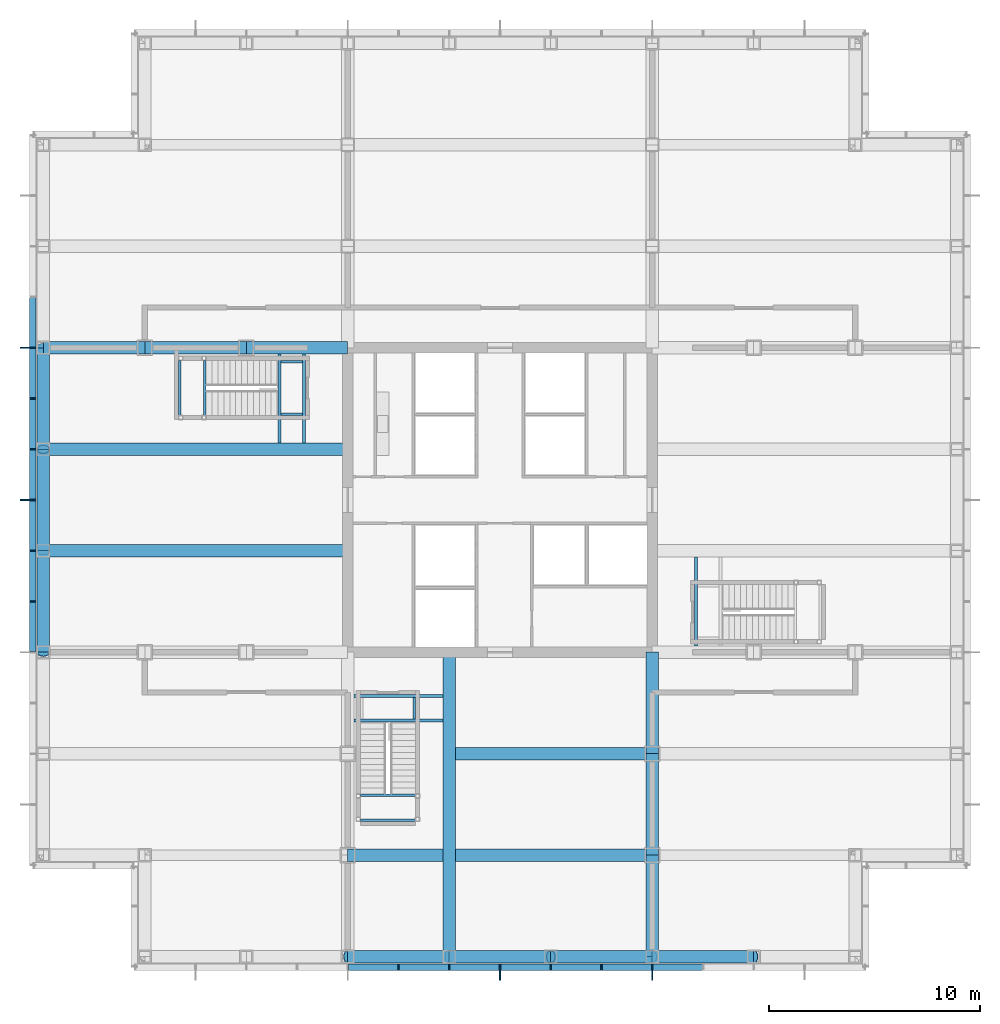
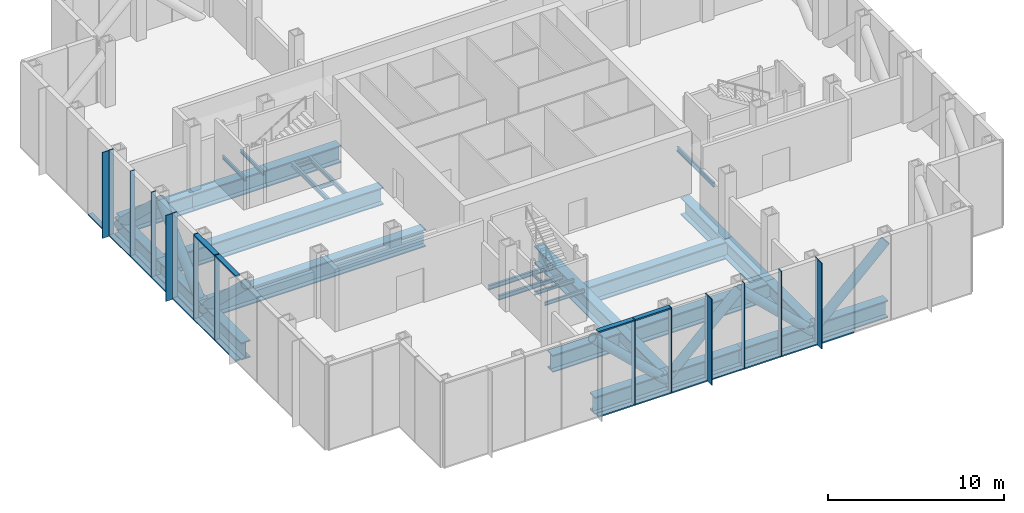
# One storey, part 7 of 18: 41 members, 31 beams, 2 elements without a shape of their own.
"""IFC4 building model written with IfcOpenShell, lengths in metres."""

from ifc_helpers import new_model, si_unit, direction, frame, origin, origin_2d, place, context, subcontext, project, spatial, rectangle, hollow_circle, i_section, extrude, material, material_profile, profile_set, type_object, element, aggregate, save


model = new_model("IFC4")

# Units and contexts
model_context = context("Model", 3, precision=1e-05, world=origin(), true_north=direction((0.0, 1.0)))
body_context = subcontext(model_context, "Body", "Model", "MODEL_VIEW")
ifc_project = project(units=[si_unit("LENGTHUNIT", "METRE"), si_unit("AREAUNIT", "SQUARE_METRE"), si_unit("VOLUMEUNIT", "CUBIC_METRE"), si_unit("PLANEANGLEUNIT", "RADIAN"), si_unit("MASSUNIT", "GRAM", prefix="KILO")], contexts=[model_context])

# Site, building, storey
site_placement = place(None, origin())
site = spatial("IfcSite", under=ifc_project, at=site_placement, CompositionType="ELEMENT")
building_placement = place(site_placement, origin())
building = spatial("IfcBuilding", under=site, at=building_placement, Name="Kvirike Care Tower", CompositionType="ELEMENT")
storey_placement = place(building_placement, frame((0.0, 0.0, 79.5)))
storey = spatial("IfcBuildingStorey", under=building, at=storey_placement, Name="L21", CompositionType="ELEMENT", Elevation=79.5)

# Members
ifc_material_1 = material(Name="Steel S355", Category="steel")
ifc_material_profile_1 = material_profile(ifc_material_1, hollow_circle(Radius=0.304931640625, WallThickness=0.030029296875, at=origin_2d()), Name="CHS 610x30")
ifc_profile_set_1 = profile_set([ifc_material_profile_1], Name="Steel S355")
member_type_1 = type_object("IfcMemberType", Name="BELT TRUSS DIAGONAL CHS 610x30", PredefinedType="BRACE", material=ifc_profile_set_1)
member_1_placement = place(storey_placement, frame((0.0, 43.199951171875, -0.85009765625), z_axis=(0.0, -0.723490032929, 0.690334826191), x_axis=(1.0, 0.0, 0.0)))
element("IfcMember", 1, at=member_1_placement, inside=storey, type_object=member_type_1, Name="Belt truss diagonal K3-J3 L21", PredefinedType="BRACE", context=body_context, shape_type="SweptSolid", body=[
    extrude(hollow_circle(Radius=0.304931640625, WallThickness=0.030029296875, at=origin_2d()), origin(), (0.0, 0.0, 1.0), 6.634521484375),
])
member_2_placement = place(storey_placement, frame((0.0, 33.60009765625, -0.85009765625), z_axis=(0.0, 0.723472495583, 0.690353205348), x_axis=(-1.0, 0.0, 0.0)))
element("IfcMember", 2, at=member_2_placement, inside=storey, type_object=member_type_1, Name="Belt truss diagonal J3-H3 L21", PredefinedType="BRACE", context=body_context, shape_type="SweptSolid", body=[
    extrude(hollow_circle(Radius=0.304931640625, WallThickness=0.030029296875, at=origin_2d()), origin(), (0.0, 0.0, 1.0), 6.63427734375),
])
for number, where, z_axis, x_axis, name in (
    (3, (0.0, 33.60009765625, -0.85009765625), (0.0, -0.723490032929, 0.690334826191), (1.0, 0.0, 0.0), "Belt truss diagonal H3-G3 L21"),
    (4, (19.199951171875, 14.39990234375, -0.85009765625), (-0.723490032929, 0.0, 0.690334826191), (0.0, -1.0, 0.0), "Belt truss diagonal D6-D7 L21"),
    (5, (19.199951171875, 14.39990234375, -0.85009765625), (0.723490032929, 0.0, 0.690334826191), (0.0, 1.0, 0.0), "Belt truss diagonal D7-D8 L21"),
    (6, (28.800048828125, 14.39990234375, -0.85009765625), (-0.723490032929, 0.0, 0.690334826191), (0.0, -1.0, 0.0), "Belt truss diagonal D8-D9 L21"),
    (7, (28.800048828125, 14.39990234375, -0.85009765625), (0.723490032929, 0.0, 0.690334826191), (0.0, 1.0, 0.0), "Belt truss diagonal D9-D10 L21"),
):
    element("IfcMember", number, at=place(storey_placement, frame(where, z_axis=z_axis, x_axis=x_axis)), inside=storey, type_object=member_type_1, Name=name, PredefinedType="BRACE", context=body_context, shape_type="SweptSolid", body=[
        extrude(hollow_circle(Radius=0.304931640625, WallThickness=0.030029296875, at=origin_2d()), origin(), (0.0, 0.0, 1.0), 6.634521484375),
    ])

# Curtain wall, members
ifc_material_2 = material(Name="Anodised aluminium stick system", Category="aluminium")
curtain_wall_type = type_object("IfcCurtainWallType", Name="CW-L LOUVRED PLANT SCREEN", PredefinedType="NOTDEFINED", material=ifc_material_2)
curtain_wall_1_placement = place(storey_placement, origin())
curtain_wall_1 = element("IfcCurtainWall", 8, at=curtain_wall_1_placement, inside=storey, type_object=curtain_wall_type, Name="Curtain wall L21 face 1", PredefinedType="NOTDEFINED")
ifc_material_3 = material(Name="Bronze anodised aluminium fin", Category="aluminium")
ifc_material_profile_2 = material_profile(ifc_material_3, rectangle(XDim=0.050048828125, YDim=0.449951171875, at=origin_2d()), Name="BRONZE FIN 450")
ifc_profile_set_2 = profile_set([ifc_material_profile_2], Name="Bronze anodised aluminium fin")
member_type_2 = type_object("IfcMemberType", Name="BRONZE FIN 450", PredefinedType="USERDEFINED", material=ifc_profile_set_2)
member_3_placement = place(storey_placement, frame((-0.875, 43.199951171875, -1.449951171875), z_axis=(0.0, 0.0, 1.0), x_axis=(0.0, -1.0, 0.0)))
member_3 = element("IfcMember", 9, at=member_3_placement, type_object=member_type_2, Name="Bronze fin L21 face 1.5", ObjectType="FIN", PredefinedType="USERDEFINED", context=body_context, shape_type="SweptSolid", body=[
    extrude(rectangle(XDim=0.050048828125, YDim=0.449951171875, at=origin_2d()), origin(), (0.0, 0.0, 1.0), 5.949951171875),
])
member_4_placement = place(storey_placement, frame((-0.875, 36.0, -1.449951171875), z_axis=(0.0, 0.0, 1.0), x_axis=(0.0, -1.0, 0.0)))
member_4 = element("IfcMember", 10, at=member_4_placement, type_object=member_type_2, Name="Bronze fin L21 face 1.8", ObjectType="FIN", PredefinedType="USERDEFINED", context=body_context, shape_type="SweptSolid", body=[
    extrude(rectangle(XDim=0.050048828125, YDim=0.449951171875, at=origin_2d()), origin(), (0.0, 0.0, 1.0), 5.949951171875),
])

curtain_wall_2_placement = place(storey_placement, origin())
curtain_wall_2 = element("IfcCurtainWall", 11, at=curtain_wall_2_placement, inside=storey, type_object=curtain_wall_type, Name="Curtain wall L21 face 4", PredefinedType="NOTDEFINED")
member_5_placement = place(storey_placement, frame((21.60009765625, 13.52490234375, -1.449951171875), z_axis=(0.0, 0.0, 1.0), x_axis=(1.0, 0.0, 0.0)))
member_5 = element("IfcMember", 12, at=member_5_placement, type_object=member_type_2, Name="Bronze fin L21 face 4.8", ObjectType="FIN", PredefinedType="USERDEFINED", context=body_context, shape_type="SweptSolid", body=[
    extrude(rectangle(XDim=0.050048828125, YDim=0.449951171875, at=origin_2d()), origin(), (0.0, 0.0, 1.0), 5.949951171875),
])
member_6_placement = place(storey_placement, frame((28.800048828125, 13.52490234375, -1.449951171875), z_axis=(0.0, 0.0, 1.0), x_axis=(1.0, 0.0, 0.0)))
member_6 = element("IfcMember", 13, at=member_6_placement, type_object=member_type_2, Name="Bronze fin L21 face 4.11", ObjectType="FIN", PredefinedType="USERDEFINED", context=body_context, shape_type="SweptSolid", body=[
    extrude(rectangle(XDim=0.050048828125, YDim=0.449951171875, at=origin_2d()), origin(), (0.0, 0.0, 1.0), 5.949951171875),
])

# Member
ifc_material_4 = material(Name="Bronze anodised aluminium mullion", Category="aluminium")
ifc_material_profile_3 = material_profile(ifc_material_4, rectangle(XDim=0.06494140625, YDim=0.300048828125, at=origin_2d()), Name="CW-L MULLION 65x300")
ifc_profile_set_3 = profile_set([ifc_material_profile_3], Name="Bronze anodised aluminium mullion")
member_type_3 = type_object("IfcMemberType", Name="CW-L MULLION 65x300", PredefinedType="MULLION", material=ifc_profile_set_3)
member_7_placement = place(storey_placement, frame((-0.5, 43.199951171875, -1.449951171875), z_axis=(0.0, 0.0, 1.0), x_axis=(0.0, -1.0, 0.0)))
member_7 = element("IfcMember", 14, at=member_7_placement, type_object=member_type_3, Name="CW-L mullion L21 face 1.5", PredefinedType="MULLION", context=body_context, shape_type="SweptSolid", body=[
    extrude(rectangle(XDim=0.06494140625, YDim=0.300048828125, at=origin_2d()), origin(), (0.0, 0.0, 1.0), 5.949951171875),
])

member_8_placement = place(storey_placement, frame((-0.5, 40.800048828125, -1.449951171875), z_axis=(0.0, 0.0, 1.0), x_axis=(0.0, -1.0, 0.0)))
member_8 = element("IfcMember", 15, at=member_8_placement, type_object=member_type_3, Name="CW-L mullion L21 face 1.6", PredefinedType="MULLION", context=body_context, shape_type="SweptSolid", body=[
    extrude(rectangle(XDim=0.06494140625, YDim=0.300048828125, at=origin_2d()), origin(), (0.0, 0.0, 1.0), 5.949951171875),
])

member_9_placement = place(storey_placement, frame((-0.5, 38.39990234375, -1.449951171875), z_axis=(0.0, 0.0, 1.0), x_axis=(0.0, -1.0, 0.0)))
member_9 = element("IfcMember", 16, at=member_9_placement, type_object=member_type_3, Name="CW-L mullion L21 face 1.7", PredefinedType="MULLION", context=body_context, shape_type="SweptSolid", body=[
    extrude(rectangle(XDim=0.06494140625, YDim=0.300048828125, at=origin_2d()), origin(), (0.0, 0.0, 1.0), 5.949951171875),
])

member_10_placement = place(storey_placement, frame((-0.5, 36.0, -1.449951171875), z_axis=(0.0, 0.0, 1.0), x_axis=(0.0, -1.0, 0.0)))
member_10 = element("IfcMember", 17, at=member_10_placement, type_object=member_type_3, Name="CW-L mullion L21 face 1.8", PredefinedType="MULLION", context=body_context, shape_type="SweptSolid", body=[
    extrude(rectangle(XDim=0.06494140625, YDim=0.300048828125, at=origin_2d()), origin(), (0.0, 0.0, 1.0), 5.949951171875),
])

member_11_placement = place(storey_placement, frame((-0.5, 33.60009765625, -1.449951171875), z_axis=(0.0, 0.0, 1.0), x_axis=(0.0, -1.0, 0.0)))
member_11 = element("IfcMember", 18, at=member_11_placement, type_object=member_type_3, Name="CW-L mullion L21 face 1.9", PredefinedType="MULLION", context=body_context, shape_type="SweptSolid", body=[
    extrude(rectangle(XDim=0.06494140625, YDim=0.300048828125, at=origin_2d()), origin(), (0.0, 0.0, 1.0), 5.949951171875),
])

member_12_placement = place(storey_placement, frame((-0.5, 31.199951171875, -1.449951171875), z_axis=(0.0, 0.0, 1.0), x_axis=(0.0, -1.0, 0.0)))
member_12 = element("IfcMember", 19, at=member_12_placement, type_object=member_type_3, Name="CW-L mullion L21 face 1.10", PredefinedType="MULLION", context=body_context, shape_type="SweptSolid", body=[
    extrude(rectangle(XDim=0.06494140625, YDim=0.300048828125, at=origin_2d()), origin(), (0.0, 0.0, 1.0), 5.949951171875),
])

member_13_placement = place(storey_placement, frame((16.800048828125, 13.89990234375, -1.449951171875), z_axis=(0.0, 0.0, 1.0), x_axis=(1.0, 0.0, 0.0)))
member_13 = element("IfcMember", 20, at=member_13_placement, type_object=member_type_3, Name="CW-L mullion L21 face 4.6", PredefinedType="MULLION", context=body_context, shape_type="SweptSolid", body=[
    extrude(rectangle(XDim=0.06494140625, YDim=0.300048828125, at=origin_2d()), origin(), (0.0, 0.0, 1.0), 5.949951171875),
])

member_14_placement = place(storey_placement, frame((19.199951171875, 13.89990234375, -1.449951171875), z_axis=(0.0, 0.0, 1.0), x_axis=(1.0, 0.0, 0.0)))
member_14 = element("IfcMember", 21, at=member_14_placement, type_object=member_type_3, Name="CW-L mullion L21 face 4.7", PredefinedType="MULLION", context=body_context, shape_type="SweptSolid", body=[
    extrude(rectangle(XDim=0.06494140625, YDim=0.300048828125, at=origin_2d()), origin(), (0.0, 0.0, 1.0), 5.949951171875),
])

member_15_placement = place(storey_placement, frame((21.60009765625, 13.89990234375, -1.449951171875), z_axis=(0.0, 0.0, 1.0), x_axis=(1.0, 0.0, 0.0)))
member_15 = element("IfcMember", 22, at=member_15_placement, type_object=member_type_3, Name="CW-L mullion L21 face 4.8", PredefinedType="MULLION", context=body_context, shape_type="SweptSolid", body=[
    extrude(rectangle(XDim=0.06494140625, YDim=0.300048828125, at=origin_2d()), origin(), (0.0, 0.0, 1.0), 5.949951171875),
])

member_16_placement = place(storey_placement, frame((24.0, 13.89990234375, -1.449951171875), z_axis=(0.0, 0.0, 1.0), x_axis=(1.0, 0.0, 0.0)))
member_16 = element("IfcMember", 23, at=member_16_placement, type_object=member_type_3, Name="CW-L mullion L21 face 4.9", PredefinedType="MULLION", context=body_context, shape_type="SweptSolid", body=[
    extrude(rectangle(XDim=0.06494140625, YDim=0.300048828125, at=origin_2d()), origin(), (0.0, 0.0, 1.0), 5.949951171875),
])

member_17_placement = place(storey_placement, frame((26.39990234375, 13.89990234375, -1.449951171875), z_axis=(0.0, 0.0, 1.0), x_axis=(1.0, 0.0, 0.0)))
member_17 = element("IfcMember", 24, at=member_17_placement, type_object=member_type_3, Name="CW-L mullion L21 face 4.10", PredefinedType="MULLION", context=body_context, shape_type="SweptSolid", body=[
    extrude(rectangle(XDim=0.06494140625, YDim=0.300048828125, at=origin_2d()), origin(), (0.0, 0.0, 1.0), 5.949951171875),
])

member_18_placement = place(storey_placement, frame((28.800048828125, 13.89990234375, -1.449951171875), z_axis=(0.0, 0.0, 1.0), x_axis=(1.0, 0.0, 0.0)))
member_18 = element("IfcMember", 25, at=member_18_placement, type_object=member_type_3, Name="CW-L mullion L21 face 4.11", PredefinedType="MULLION", context=body_context, shape_type="SweptSolid", body=[
    extrude(rectangle(XDim=0.06494140625, YDim=0.300048828125, at=origin_2d()), origin(), (0.0, 0.0, 1.0), 5.949951171875),
])

ifc_material_5 = material(Name="Bronze anodised aluminium transom", Category="aluminium")
ifc_material_profile_4 = material_profile(ifc_material_5, rectangle(XDim=0.300048828125, YDim=0.10009765625, at=origin_2d()), Name="CW-L TRANSOM 300x100")
ifc_profile_set_4 = profile_set([ifc_material_profile_4], Name="Bronze anodised aluminium transom")
member_type_4 = type_object("IfcMemberType", Name="CW-L TRANSOM 300x100", PredefinedType="USERDEFINED", material=ifc_profile_set_4)
member_19_placement = place(storey_placement, frame((-0.5, 45.5673828125, -1.39990234375), z_axis=(0.0, -1.0, 0.0), x_axis=(1.0, 0.0, 0.0)))
member_19 = element("IfcMember", 26, at=member_19_placement, type_object=member_type_4, Name="CW-L sill transom L21 face 1.4", ObjectType="TRANSOM", PredefinedType="USERDEFINED", context=body_context, shape_type="SweptSolid", body=[
    extrude(rectangle(XDim=0.300048828125, YDim=0.10009765625, at=origin_2d()), origin(), (0.0, 0.0, 1.0), 2.3349609375),
])

member_20_placement = place(storey_placement, frame((-0.5, 43.16748046875, -1.39990234375), z_axis=(0.0, -1.0, 0.0), x_axis=(1.0, 0.0, 0.0)))
member_20 = element("IfcMember", 27, at=member_20_placement, type_object=member_type_4, Name="CW-L sill transom L21 face 1.5", ObjectType="TRANSOM", PredefinedType="USERDEFINED", context=body_context, shape_type="SweptSolid", body=[
    extrude(rectangle(XDim=0.300048828125, YDim=0.10009765625, at=origin_2d()), origin(), (0.0, 0.0, 1.0), 2.3349609375),
])

member_21_placement = place(storey_placement, frame((-0.5, 40.767578125, -1.39990234375), z_axis=(0.0, -1.0, 0.0), x_axis=(1.0, 0.0, 0.0)))
member_21 = element("IfcMember", 28, at=member_21_placement, type_object=member_type_4, Name="CW-L sill transom L21 face 1.6", ObjectType="TRANSOM", PredefinedType="USERDEFINED", context=body_context, shape_type="SweptSolid", body=[
    extrude(rectangle(XDim=0.300048828125, YDim=0.10009765625, at=origin_2d()), origin(), (0.0, 0.0, 1.0), 2.3349609375),
])

member_22_placement = place(storey_placement, frame((-0.5, 38.367431640625, -1.39990234375), z_axis=(0.0, -1.0, 0.0), x_axis=(1.0, 0.0, 0.0)))
member_22 = element("IfcMember", 29, at=member_22_placement, type_object=member_type_4, Name="CW-L sill transom L21 face 1.7", ObjectType="TRANSOM", PredefinedType="USERDEFINED", context=body_context, shape_type="SweptSolid", body=[
    extrude(rectangle(XDim=0.300048828125, YDim=0.10009765625, at=origin_2d()), origin(), (0.0, 0.0, 1.0), 2.3349609375),
])

member_23_placement = place(storey_placement, frame((-0.5, 35.967529296875, -1.39990234375), z_axis=(0.0, -1.0, 0.0), x_axis=(1.0, 0.0, 0.0)))
member_23 = element("IfcMember", 30, at=member_23_placement, type_object=member_type_4, Name="CW-L sill transom L21 face 1.8", ObjectType="TRANSOM", PredefinedType="USERDEFINED", context=body_context, shape_type="SweptSolid", body=[
    extrude(rectangle(XDim=0.300048828125, YDim=0.10009765625, at=origin_2d()), origin(), (0.0, 0.0, 1.0), 2.3349609375),
])

member_24_placement = place(storey_placement, frame((-0.5, 33.5673828125, -1.39990234375), z_axis=(0.0, -1.0, 0.0), x_axis=(1.0, 0.0, 0.0)))
member_24 = element("IfcMember", 31, at=member_24_placement, type_object=member_type_4, Name="CW-L sill transom L21 face 1.9", ObjectType="TRANSOM", PredefinedType="USERDEFINED", context=body_context, shape_type="SweptSolid", body=[
    extrude(rectangle(XDim=0.300048828125, YDim=0.10009765625, at=origin_2d()), origin(), (0.0, 0.0, 1.0), 2.3349609375),
])

member_25_placement = place(storey_placement, frame((-0.5, 33.5673828125, 4.449951171875), z_axis=(0.0, -1.0, 0.0), x_axis=(1.0, 0.0, 0.0)))
member_25 = element("IfcMember", 32, at=member_25_placement, type_object=member_type_4, Name="CW-L head transom L21 face 1.9", ObjectType="TRANSOM", PredefinedType="USERDEFINED", context=body_context, shape_type="SweptSolid", body=[
    extrude(rectangle(XDim=0.300048828125, YDim=0.10009765625, at=origin_2d()), origin(), (0.0, 0.0, 1.0), 2.3349609375),
])

member_26_placement = place(storey_placement, frame((-0.5, 31.16748046875, -1.39990234375), z_axis=(0.0, -1.0, 0.0), x_axis=(1.0, 0.0, 0.0)))
member_26 = element("IfcMember", 33, at=member_26_placement, type_object=member_type_4, Name="CW-L sill transom L21 face 1.10", ObjectType="TRANSOM", PredefinedType="USERDEFINED", context=body_context, shape_type="SweptSolid", body=[
    extrude(rectangle(XDim=0.300048828125, YDim=0.10009765625, at=origin_2d()), origin(), (0.0, 0.0, 1.0), 2.3349609375),
])

member_27_placement = place(storey_placement, frame((-0.5, 31.16748046875, 4.449951171875), z_axis=(0.0, -1.0, 0.0), x_axis=(1.0, 0.0, 0.0)))
member_27 = element("IfcMember", 34, at=member_27_placement, type_object=member_type_4, Name="CW-L head transom L21 face 1.10", ObjectType="TRANSOM", PredefinedType="USERDEFINED", context=body_context, shape_type="SweptSolid", body=[
    extrude(rectangle(XDim=0.300048828125, YDim=0.10009765625, at=origin_2d()), origin(), (0.0, 0.0, 1.0), 2.3349609375),
])

aggregate(curtain_wall_1, [member_7, member_3, member_8, member_9, member_10, member_4, member_11, member_12, member_19, member_20, member_21, member_22, member_23, member_24, member_25, member_26, member_27])

member_28_placement = place(storey_placement, frame((14.4326171875, 13.89990234375, -1.39990234375), z_axis=(1.0, 0.0, 0.0), x_axis=(0.0, 1.0, 0.0)))
member_28 = element("IfcMember", 35, at=member_28_placement, type_object=member_type_4, Name="CW-L sill transom L21 face 4.5", ObjectType="TRANSOM", PredefinedType="USERDEFINED", context=body_context, shape_type="SweptSolid", body=[
    extrude(rectangle(XDim=0.300048828125, YDim=0.10009765625, at=origin_2d()), origin(), (0.0, 0.0, 1.0), 2.3349609375),
])

member_29_placement = place(storey_placement, frame((14.4326171875, 13.89990234375, 4.449951171875), z_axis=(1.0, 0.0, 0.0), x_axis=(0.0, 1.0, 0.0)))
member_29 = element("IfcMember", 36, at=member_29_placement, type_object=member_type_4, Name="CW-L head transom L21 face 4.5", ObjectType="TRANSOM", PredefinedType="USERDEFINED", context=body_context, shape_type="SweptSolid", body=[
    extrude(rectangle(XDim=0.300048828125, YDim=0.10009765625, at=origin_2d()), origin(), (0.0, 0.0, 1.0), 2.3349609375),
])

member_30_placement = place(storey_placement, frame((16.83251953125, 13.89990234375, -1.39990234375), z_axis=(1.0, 0.0, 0.0), x_axis=(0.0, 1.0, 0.0)))
member_30 = element("IfcMember", 37, at=member_30_placement, type_object=member_type_4, Name="CW-L sill transom L21 face 4.6", ObjectType="TRANSOM", PredefinedType="USERDEFINED", context=body_context, shape_type="SweptSolid", body=[
    extrude(rectangle(XDim=0.300048828125, YDim=0.10009765625, at=origin_2d()), origin(), (0.0, 0.0, 1.0), 2.3349609375),
])

member_31_placement = place(storey_placement, frame((16.83251953125, 13.89990234375, 4.449951171875), z_axis=(1.0, 0.0, 0.0), x_axis=(0.0, 1.0, 0.0)))
member_31 = element("IfcMember", 38, at=member_31_placement, type_object=member_type_4, Name="CW-L head transom L21 face 4.6", ObjectType="TRANSOM", PredefinedType="USERDEFINED", context=body_context, shape_type="SweptSolid", body=[
    extrude(rectangle(XDim=0.300048828125, YDim=0.10009765625, at=origin_2d()), origin(), (0.0, 0.0, 1.0), 2.3349609375),
])

member_32_placement = place(storey_placement, frame((19.232421875, 13.89990234375, -1.39990234375), z_axis=(1.0, 0.0, 0.0), x_axis=(0.0, 1.0, 0.0)))
member_32 = element("IfcMember", 39, at=member_32_placement, type_object=member_type_4, Name="CW-L sill transom L21 face 4.7", ObjectType="TRANSOM", PredefinedType="USERDEFINED", context=body_context, shape_type="SweptSolid", body=[
    extrude(rectangle(XDim=0.300048828125, YDim=0.10009765625, at=origin_2d()), origin(), (0.0, 0.0, 1.0), 2.3349609375),
])

member_33_placement = place(storey_placement, frame((21.632568359375, 13.89990234375, -1.39990234375), z_axis=(1.0, 0.0, 0.0), x_axis=(0.0, 1.0, 0.0)))
member_33 = element("IfcMember", 40, at=member_33_placement, type_object=member_type_4, Name="CW-L sill transom L21 face 4.8", ObjectType="TRANSOM", PredefinedType="USERDEFINED", context=body_context, shape_type="SweptSolid", body=[
    extrude(rectangle(XDim=0.300048828125, YDim=0.10009765625, at=origin_2d()), origin(), (0.0, 0.0, 1.0), 2.3349609375),
])

member_34_placement = place(storey_placement, frame((24.032470703125, 13.89990234375, -1.39990234375), z_axis=(1.0, 0.0, 0.0), x_axis=(0.0, 1.0, 0.0)))
member_34 = element("IfcMember", 41, at=member_34_placement, type_object=member_type_4, Name="CW-L sill transom L21 face 4.9", ObjectType="TRANSOM", PredefinedType="USERDEFINED", context=body_context, shape_type="SweptSolid", body=[
    extrude(rectangle(XDim=0.300048828125, YDim=0.10009765625, at=origin_2d()), origin(), (0.0, 0.0, 1.0), 2.3349609375),
])

member_35_placement = place(storey_placement, frame((26.4326171875, 13.89990234375, -1.39990234375), z_axis=(1.0, 0.0, 0.0), x_axis=(0.0, 1.0, 0.0)))
member_35 = element("IfcMember", 42, at=member_35_placement, type_object=member_type_4, Name="CW-L sill transom L21 face 4.10", ObjectType="TRANSOM", PredefinedType="USERDEFINED", context=body_context, shape_type="SweptSolid", body=[
    extrude(rectangle(XDim=0.300048828125, YDim=0.10009765625, at=origin_2d()), origin(), (0.0, 0.0, 1.0), 2.3349609375),
])

member_36_placement = place(storey_placement, frame((28.83251953125, 13.89990234375, -1.39990234375), z_axis=(1.0, 0.0, 0.0), x_axis=(0.0, 1.0, 0.0)))
member_36 = element("IfcMember", 43, at=member_36_placement, type_object=member_type_4, Name="CW-L sill transom L21 face 4.11", ObjectType="TRANSOM", PredefinedType="USERDEFINED", context=body_context, shape_type="SweptSolid", body=[
    extrude(rectangle(XDim=0.300048828125, YDim=0.10009765625, at=origin_2d()), origin(), (0.0, 0.0, 1.0), 2.3349609375),
])

aggregate(curtain_wall_2, [member_13, member_14, member_15, member_5, member_16, member_17, member_18, member_6, member_28, member_29, member_30, member_31, member_32, member_33, member_34, member_35, member_36])

# Beams
ifc_material_6 = material(Name="Steel S355", Category="steel")
ifc_material_profile_5 = material_profile(ifc_material_6, i_section(OverallWidth=0.60009765625, OverallDepth=1.199951171875, WebThickness=0.0400390625, FlangeThickness=0.080078125, at=origin_2d()), Name="PG 1200x600x40x80")
ifc_profile_set_5 = profile_set([ifc_material_profile_5], Name="Steel S355")
beam_type_1 = type_object("IfcBeamType", Name="FRAME BEAM PG 1200x600x40x80", PredefinedType="BEAM", material=ifc_profile_set_5)
for number, where, z_axis, x_axis, name in (
    (44, (0.0, 43.199951171875, -0.85009765625), (1.0, 0.0, 0.0), (0.0, 1.0, 0.0), "Frame Beam K3-K4 L21"),
    (45, (4.800048828125, 43.199951171875, -0.85009765625), (1.0, 0.0, 0.0), (0.0, 1.0, 0.0), "Frame Beam K4-K5 L21"),
):
    element("IfcBeam", number, at=place(storey_placement, frame(where, z_axis=z_axis, x_axis=x_axis)), inside=storey, type_object=beam_type_1, Name=name, PredefinedType="BEAM", context=body_context, shape_type="SweptSolid", body=[
        extrude(i_section(OverallWidth=0.60009765625, OverallDepth=1.199951171875, WebThickness=0.0400390625, FlangeThickness=0.080078125, at=origin_2d()), origin(), (0.0, 0.0, 1.0), 4.800048828125),
    ])
beam_1_placement = place(storey_placement, frame((9.60009765625, 43.199951171875, -0.85009765625), z_axis=(1.0, 0.0, 0.0), x_axis=(0.0, 1.0, 0.0)))
element("IfcBeam", 46, at=beam_1_placement, inside=storey, type_object=beam_type_1, Name="Frame Beam K5-K6 L21", PredefinedType="BEAM", context=body_context, shape_type="SweptSolid", body=[
    extrude(i_section(OverallWidth=0.60009765625, OverallDepth=1.199951171875, WebThickness=0.0400390625, FlangeThickness=0.080078125, at=origin_2d()), origin(), (0.0, 0.0, 1.0), 4.7998046875),
])
for number, where, z_axis, x_axis, name in (
    (47, (28.800048828125, 14.39990234375, -0.85009765625), (0.0, 1.0, 0.0), (-1.0, 0.0, 0.0), "Frame Beam D9-E9 L21"),
    (48, (28.800048828125, 19.199951171875, -0.85009765625), (0.0, 1.0, 0.0), (-1.0, 0.0, 0.0), "Frame Beam E9-F9 L21"),
    (49, (28.800048828125, 24.0, -0.85009765625), (0.0, 1.0, 0.0), (-1.0, 0.0, 0.0), "Frame Beam F9-G9 L21"),
):
    element("IfcBeam", number, at=place(storey_placement, frame(where, z_axis=z_axis, x_axis=x_axis)), inside=storey, type_object=beam_type_1, Name=name, PredefinedType="BEAM", context=body_context, shape_type="SweptSolid", body=[
        extrude(i_section(OverallWidth=0.60009765625, OverallDepth=1.199951171875, WebThickness=0.0400390625, FlangeThickness=0.080078125, at=origin_2d()), origin(), (0.0, 0.0, 1.0), 4.800048828125),
    ])
ifc_material_7 = material(Name="Steel S355", Category="steel")
ifc_material_profile_6 = material_profile(ifc_material_7, i_section(OverallWidth=0.60009765625, OverallDepth=1.199951171875, WebThickness=0.0400390625, FlangeThickness=0.080078125, at=origin_2d()), Name="PG 1200x600x40x80")
ifc_profile_set_6 = profile_set([ifc_material_profile_6], Name="Steel S355")
beam_type_2 = type_object("IfcBeamType", Name="PLANT FLOOR GIRDER PG 1200x600x40x80", PredefinedType="BEAM", material=ifc_profile_set_6)
beam_2_placement = place(storey_placement, frame((14.39990234375, 19.199951171875, -0.85009765625), z_axis=(1.0, 0.0, 0.0), x_axis=(0.0, 1.0, 0.0)))
element("IfcBeam", 50, at=beam_2_placement, inside=storey, type_object=beam_type_2, Name="Plant Floor Girder E6-E7 L21", PredefinedType="BEAM", context=body_context, shape_type="SweptSolid", body=[
    extrude(i_section(OverallWidth=0.60009765625, OverallDepth=1.199951171875, WebThickness=0.0400390625, FlangeThickness=0.080078125, at=origin_2d()), origin(), (0.0, 0.0, 1.0), 4.5),
])
for number, where, z_axis, x_axis, name in (
    (51, (19.5, 19.199951171875, -0.85009765625), (1.0, 0.0, 0.0), (0.0, 1.0, 0.0), "Plant Floor Girder E7-E9 L21"),
    (52, (19.5, 24.0, -0.85009765625), (1.0, 0.0, 0.0), (0.0, 1.0, 0.0), "Plant Floor Girder F7-F9 L21"),
):
    element("IfcBeam", number, at=place(storey_placement, frame(where, z_axis=z_axis, x_axis=x_axis)), inside=storey, type_object=beam_type_2, Name=name, PredefinedType="BEAM", context=body_context, shape_type="SweptSolid", body=[
        extrude(i_section(OverallWidth=0.60009765625, OverallDepth=1.199951171875, WebThickness=0.0400390625, FlangeThickness=0.080078125, at=origin_2d()), origin(), (0.0, 0.0, 1.0), 9.300048828125),
    ])
for number, where, z_axis, x_axis, name in (
    (53, (0.0, 33.60009765625, -0.85009765625), (1.0, 0.0, 0.0), (0.0, 1.0, 0.0), "Plant Floor Girder H3-H6 L21"),
    (54, (0.0, 38.39990234375, -0.85009765625), (1.0, 0.0, 0.0), (0.0, 1.0, 0.0), "Plant Floor Girder J3-J6 L21"),
):
    element("IfcBeam", number, at=place(storey_placement, frame(where, z_axis=z_axis, x_axis=x_axis)), inside=storey, type_object=beam_type_2, Name=name, PredefinedType="BEAM", context=body_context, shape_type="SweptSolid", body=[
        extrude(i_section(OverallWidth=0.60009765625, OverallDepth=1.199951171875, WebThickness=0.0400390625, FlangeThickness=0.080078125, at=origin_2d()), origin(), (0.0, 0.0, 1.0), 14.39990234375),
    ])
beam_3_placement = place(storey_placement, frame((19.199951171875, 14.39990234375, -0.85009765625), z_axis=(0.0, 1.0, 0.0), x_axis=(-1.0, 0.0, 0.0)))
element("IfcBeam", 55, at=beam_3_placement, inside=storey, type_object=beam_type_2, Name="Plant Floor Girder D7-G7 L21", PredefinedType="BEAM", context=body_context, shape_type="SweptSolid", body=[
    extrude(i_section(OverallWidth=0.60009765625, OverallDepth=1.199951171875, WebThickness=0.0400390625, FlangeThickness=0.080078125, at=origin_2d()), origin(), (0.0, 0.0, 1.0), 14.400146484375),
])
ifc_material_8 = material(Name="Steel S355", Category="steel")
ifc_material_profile_7 = material_profile(ifc_material_8, i_section(OverallWidth=0.60009765625, OverallDepth=1.199951171875, WebThickness=0.0400390625, FlangeThickness=0.080078125, at=origin_2d()), Name="PG 1200x600x40x80")
ifc_profile_set_7 = profile_set([ifc_material_profile_7], Name="Steel S355")
beam_type_3 = type_object("IfcBeamType", Name="SPANDREL PG 1200x600x40x80", PredefinedType="SPANDREL", material=ifc_profile_set_7)
for number, where, z_axis, x_axis, name in (
    (56, (14.39990234375, 14.39990234375, -0.85009765625), (1.0, 0.0, 0.0), (0.0, 1.0, 0.0), "Spandrel D6-D7 L21"),
    (57, (19.199951171875, 14.39990234375, -0.85009765625), (1.0, 0.0, 0.0), (0.0, 1.0, 0.0), "Spandrel D7-D8 L21"),
    (58, (24.0, 14.39990234375, -0.85009765625), (1.0, 0.0, 0.0), (0.0, 1.0, 0.0), "Spandrel D8-D9 L21"),
    (59, (28.800048828125, 14.39990234375, -0.85009765625), (1.0, 0.0, 0.0), (0.0, 1.0, 0.0), "Spandrel D9-D10 L21"),
    (60, (0.0, 28.800048828125, -0.85009765625), (0.0, 1.0, 0.0), (-1.0, 0.0, 0.0), "Spandrel G3-H3 L21"),
):
    element("IfcBeam", number, at=place(storey_placement, frame(where, z_axis=z_axis, x_axis=x_axis)), inside=storey, type_object=beam_type_3, Name=name, PredefinedType="SPANDREL", context=body_context, shape_type="SweptSolid", body=[
        extrude(i_section(OverallWidth=0.60009765625, OverallDepth=1.199951171875, WebThickness=0.0400390625, FlangeThickness=0.080078125, at=origin_2d()), origin(), (0.0, 0.0, 1.0), 4.800048828125),
    ])
beam_4_placement = place(storey_placement, frame((0.0, 33.60009765625, -0.85009765625), z_axis=(0.0, 1.0, 0.0), x_axis=(-1.0, 0.0, 0.0)))
element("IfcBeam", 61, at=beam_4_placement, inside=storey, type_object=beam_type_3, Name="Spandrel H3-J3 L21", PredefinedType="SPANDREL", context=body_context, shape_type="SweptSolid", body=[
    extrude(i_section(OverallWidth=0.60009765625, OverallDepth=1.199951171875, WebThickness=0.0400390625, FlangeThickness=0.080078125, at=origin_2d()), origin(), (0.0, 0.0, 1.0), 4.7998046875),
])
beam_5_placement = place(storey_placement, frame((0.0, 38.39990234375, -0.85009765625), z_axis=(0.0, 1.0, 0.0), x_axis=(-1.0, 0.0, 0.0)))
element("IfcBeam", 62, at=beam_5_placement, inside=storey, type_object=beam_type_3, Name="Spandrel J3-K3 L21", PredefinedType="SPANDREL", context=body_context, shape_type="SweptSolid", body=[
    extrude(i_section(OverallWidth=0.60009765625, OverallDepth=1.199951171875, WebThickness=0.0400390625, FlangeThickness=0.080078125, at=origin_2d()), origin(), (0.0, 0.0, 1.0), 4.800048828125),
])
ifc_material_9 = material(Name="Steel S355", Category="steel")
ifc_material_profile_8 = material_profile(ifc_material_9, i_section(OverallWidth=0.1201171875, OverallDepth=0.239990234375, WebThickness=0.006103515625, FlangeThickness=0.009765625, FilletRadius=0.014892578125, at=origin_2d()), Name="IPE 240")
ifc_profile_set_8 = profile_set([ifc_material_profile_8], Name="Steel S355")
beam_type_4 = type_object("IfcBeamType", Name="STAIR LANDING BEAM IPE 240", PredefinedType="BEAM", material=ifc_profile_set_8)
for number, where, z_axis, x_axis, name in (
    (63, (6.4599609375, 42.60009765625, 1.929931640625), (0.0, -1.0, 0.0), (1.0, 0.0, 0.0), "Stair 1 landing beam back L21"),
    (64, (7.639892578125, 42.60009765625, 1.929931640625), (0.0, -1.0, 0.0), (1.0, 0.0, 0.0), "Stair 1 landing beam front L21"),
):
    element("IfcBeam", number, at=place(storey_placement, frame(where, z_axis=z_axis, x_axis=x_axis)), inside=storey, type_object=beam_type_4, Name=name, PredefinedType="BEAM", context=body_context, shape_type="SweptSolid", body=[
        extrude(i_section(OverallWidth=0.1201171875, OverallDepth=0.239990234375, WebThickness=0.006103515625, FlangeThickness=0.009765625, FilletRadius=0.014892578125, at=origin_2d()), origin(), (0.0, 0.0, 1.0), 2.60009765625),
    ])
for number, where, z_axis, x_axis, name in (
    (65, (11.25, 42.5400390625, -0.3701171875), (1.0, 0.0, 0.0), (0.0, 1.0, 0.0), "Stair 1 landing edge beam 1 L21"),
    (66, (11.25, 40.06005859375, -0.3701171875), (1.0, 0.0, 0.0), (0.0, 1.0, 0.0), "Stair 1 landing edge beam 2 L21"),
):
    element("IfcBeam", number, at=place(storey_placement, frame(where, z_axis=z_axis, x_axis=x_axis)), inside=storey, type_object=beam_type_4, Name=name, PredefinedType="BEAM", context=body_context, shape_type="SweptSolid", body=[
        extrude(i_section(OverallWidth=0.1201171875, OverallDepth=0.239990234375, WebThickness=0.006103515625, FlangeThickness=0.009765625, FilletRadius=0.014892578125, at=origin_2d()), origin(), (0.0, 0.0, 1.0), 1.0),
    ])
for number, where, z_axis, x_axis, name in (
    (67, (15.0, 20.860107421875, 1.929931640625), (1.0, 0.0, 0.0), (0.0, 1.0, 0.0), "Stair 5 landing beam back L21"),
    (68, (15.0, 22.0400390625, 1.929931640625), (1.0, 0.0, 0.0), (0.0, 1.0, 0.0), "Stair 5 landing beam front L21"),
):
    element("IfcBeam", number, at=place(storey_placement, frame(where, z_axis=z_axis, x_axis=x_axis)), inside=storey, type_object=beam_type_4, Name=name, PredefinedType="BEAM", context=body_context, shape_type="SweptSolid", body=[
        extrude(i_section(OverallWidth=0.1201171875, OverallDepth=0.239990234375, WebThickness=0.006103515625, FlangeThickness=0.009765625, FilletRadius=0.014892578125, at=origin_2d()), origin(), (0.0, 0.0, 1.0), 2.60009765625),
    ])
beam_6_placement = place(storey_placement, frame((17.5400390625, 25.64990234375, -0.3701171875), z_axis=(0.0, 1.0, 0.0), x_axis=(-1.0, 0.0, 0.0)))
element("IfcBeam", 69, at=beam_6_placement, inside=storey, type_object=beam_type_4, Name="Stair 5 landing edge beam 2 L21", PredefinedType="BEAM", context=body_context, shape_type="SweptSolid", body=[
    extrude(i_section(OverallWidth=0.1201171875, OverallDepth=0.239990234375, WebThickness=0.006103515625, FlangeThickness=0.009765625, FilletRadius=0.014892578125, at=origin_2d()), origin(), (0.0, 0.0, 1.0), 1.0),
])
ifc_material_10 = material(Name="Steel S355", Category="steel")
ifc_material_profile_9 = material_profile(ifc_material_10, i_section(OverallWidth=0.14990234375, OverallDepth=0.300048828125, WebThickness=0.007080078125, FlangeThickness=0.0107421875, FilletRadius=0.014892578125, at=origin_2d()), Name="IPE 300")
ifc_profile_set_9 = profile_set([ifc_material_profile_9], Name="Steel S355")
beam_type_5 = type_object("IfcBeamType", Name="STAIR TRIMMER IPE 300", PredefinedType="BEAM", material=ifc_profile_set_9)
for number, where, z_axis, x_axis, name in (
    (70, (11.175048828125, 42.89990234375, -0.39990234375), (0.0, -1.0, 0.0), (1.0, 0.0, 0.0), "Stair 1 trimmer 1 L21"),
    (71, (12.324951171875, 42.89990234375, -0.39990234375), (0.0, -1.0, 0.0), (1.0, 0.0, 0.0), "Stair 1 trimmer 2 L21"),
    (72, (30.875, 29.10009765625, -0.39990234375), (0.0, 1.0, 0.0), (-1.0, 0.0, 0.0), "Stair 2 trimmer 2 L21"),
    (73, (14.699951171875, 25.574951171875, -0.39990234375), (1.0, 0.0, 0.0), (0.0, 1.0, 0.0), "Stair 5 trimmer 1 L21"),
    (74, (14.699951171875, 26.72509765625, -0.39990234375), (1.0, 0.0, 0.0), (0.0, 1.0, 0.0), "Stair 5 trimmer 2 L21"),
):
    element("IfcBeam", number, at=place(storey_placement, frame(where, z_axis=z_axis, x_axis=x_axis)), inside=storey, type_object=beam_type_5, Name=name, PredefinedType="BEAM", context=body_context, shape_type="SweptSolid", body=[
        extrude(i_section(OverallWidth=0.14990234375, OverallDepth=0.300048828125, WebThickness=0.007080078125, FlangeThickness=0.0107421875, FilletRadius=0.014892578125, at=origin_2d()), origin(), (0.0, 0.0, 1.0), 4.199951171875),
    ])

save(model, "model.ifc")
